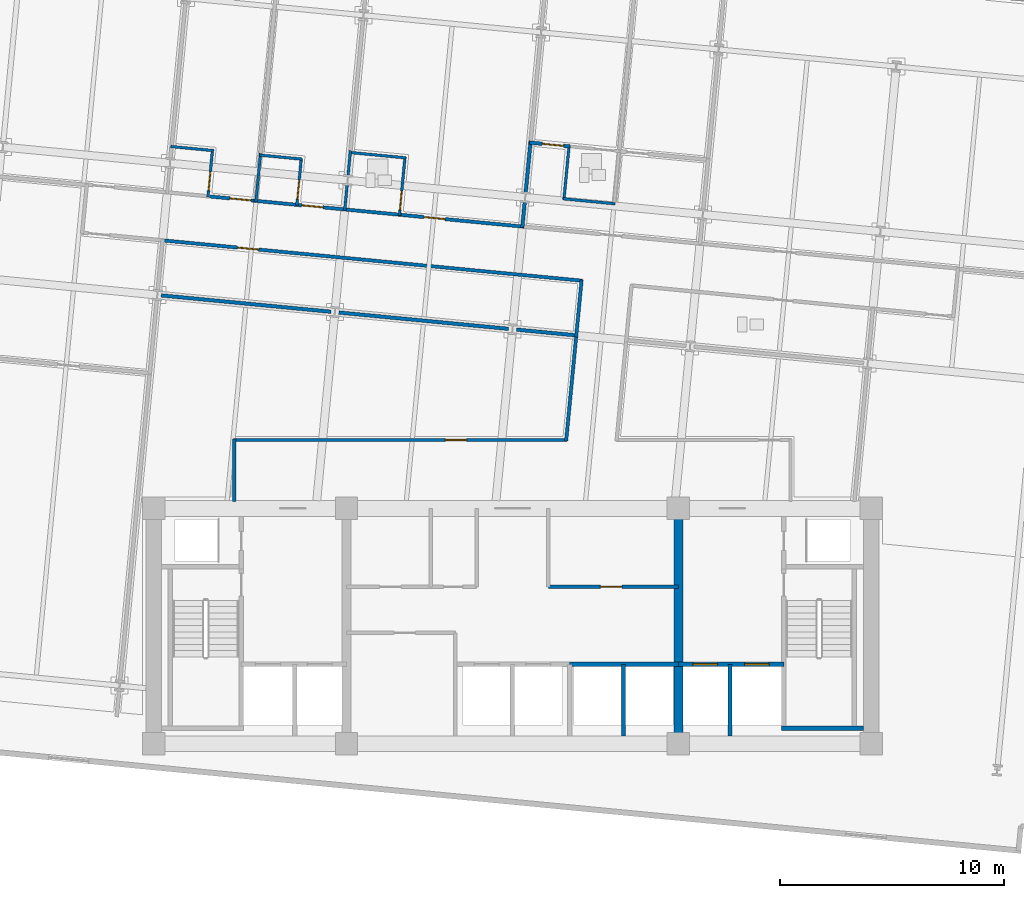
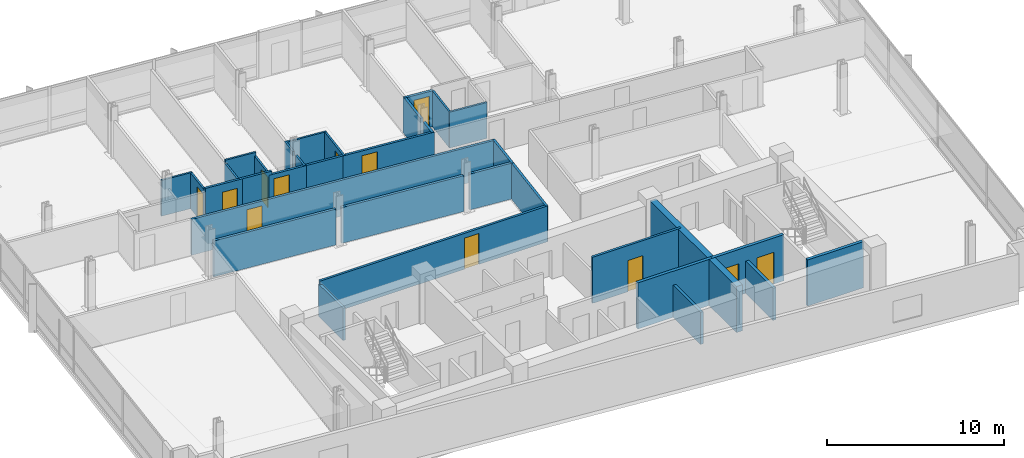
# One storey, part 11 of 17: 34 walls, 12 doors, 12 openings.
"""IFC4 building model written with IfcOpenShell, lengths in metres."""

from ifc_helpers import new_model, si_unit, direction, frame, frame_2d, origin, place, context, subcontext, project, spatial, rectangle, extrude, material, layer, layer_set, type_object, element, fill, save


model = new_model("IFC4")

# Units and contexts
model_context = context("Model", 3, precision=1e-05, world=origin(), true_north=direction((0.0, 1.0)))
body_context = subcontext(model_context, "Body", "Model", "MODEL_VIEW")
ifc_project = project(units=[si_unit("LENGTHUNIT", "METRE"), si_unit("AREAUNIT", "SQUARE_METRE"), si_unit("VOLUMEUNIT", "CUBIC_METRE"), si_unit("PLANEANGLEUNIT", "RADIAN"), si_unit("MASSUNIT", "GRAM", prefix="KILO")], contexts=[model_context])

# Site, building, storey
site_placement = place(None, origin())
site = spatial("IfcSite", under=ifc_project, at=site_placement, CompositionType="ELEMENT")
building_placement = place(site_placement, origin())
building = spatial("IfcBuilding", under=site, at=building_placement, Name="Solmavex Isthmus Hotel", CompositionType="ELEMENT")
storey_placement = place(building_placement, frame((0.0, 0.0, 153.14990234375)))
storey = spatial("IfcBuildingStorey", under=building, at=storey_placement, Name="L41", CompositionType="ELEMENT", Elevation=153.14990234375)

# Walls
ifc_material_1 = material(Name="Gypsum plasterboard lining", Category="gypsum")
ifc_layer_1 = layer(ifc_material_1, 0.159912109375)
ifc_layer_set_1 = layer_set([ifc_layer_1], Name="Gypsum plasterboard lining")
wall_type_1 = type_object("IfcWallType", Name="IW-COMP-160", PredefinedType="PARTITIONING", material=ifc_layer_set_1)
wall_1_placement = place(storey_placement, frame((0.55078125, 11.196044921875, 0.0), z_axis=(0.0, 0.0, 1.0), x_axis=(-0.096017994315, -0.995379598328, 0.0)))
element("IfcWall", 1, at=wall_1_placement, inside=storey, type_object=wall_type_1, Name="Interior Partition Wall W-L41-P040", PredefinedType="PARTITIONING", context=body_context, shape_type="SweptSolid", body=[
    extrude(rectangle(XDim=1.172119140625, YDim=0.159912109375, at=frame_2d((0.5859375, 0.0))), origin(), (0.0, 0.0, 1.0), 2.4794921875),
])
wall_2_placement = place(storey_placement, frame((0.810302734375, 13.8916015625, 0.0), z_axis=(0.0, 0.0, 1.0), x_axis=(-0.095850619404, -0.995395729728, 0.0)))
element("IfcWall", 2, at=wall_2_placement, inside=storey, type_object=wall_type_1, Name="Interior Partition Wall W-L41-P041", PredefinedType="PARTITIONING", context=body_context, shape_type="SweptSolid", body=[
    extrude(rectangle(XDim=2.35595703125, YDim=0.159912109375, at=frame_2d((1.177978515625, 0.0))), origin(), (0.0, 0.0, 1.0), 2.4794921875),
])

# Wall, opening, door
wall_3_placement = place(storey_placement, frame((0.762451171875, 13.813720703125, 0.0), z_axis=(0.0, 0.0, 1.0), x_axis=(0.995394173932, -0.095866774755, 0.0)))
wall_3 = element("IfcWall", 3, at=wall_3_placement, inside=storey, type_object=wall_type_1, Name="Interior Partition Wall W-L41-P044", PredefinedType="PARTITIONING", context=body_context, shape_type="SweptSolid", body=[
    extrude(rectangle(XDim=1.80810546875, YDim=0.159912109375, at=frame_2d((0.904052734375, 0.0))), origin(), (0.0, 0.0, 1.0), 2.4794921875),
])
opening_1_placement = place(wall_3_placement, frame((0.57421875, 0.0, 0.0)))
opening_1 = element("IfcOpeningElement", 4, at=opening_1_placement, cuts=wall_3, Name="Opening ID-C095", PredefinedType="OPENING", context=body_context, shape_type="SweptSolid", body=[
    extrude(rectangle(XDim=0.949951171875, YDim=2.14990234375, at=frame_2d((0.47509765625, 1.074951171875))), frame((0.0, 0.08984375, 0.0), z_axis=(0.0, -1.0, 0.0), x_axis=(1.0, 0.0, 0.0)), (0.0, 0.0, 1.0), 0.179931640625),
])
ifc_material_2 = material(Name="Hardwood timber", Category="wood")
door_type_1 = type_object("IfcDoorType", Name="IDR-FD60-0950", OperationType="NOTDEFINED", PredefinedType="DOOR", material=ifc_material_2)
door_1_placement = place(opening_1_placement, origin())
door_1 = element("IfcDoor", 5, at=door_1_placement, inside=storey, type_object=door_type_1, Name="Ambassador Suite Bedroom Door L41-09", OperationType="SINGLE_SWING_LEFT", OverallHeight=2.14990234375, OverallWidth=0.949951171875, PredefinedType="DOOR", context=body_context, shape_type="SweptSolid", body=[
    extrude(rectangle(XDim=0.949951171875, YDim=2.14990234375, at=frame_2d((0.47509765625, 1.074951171875))), frame((0.0, 0.02490234375, 0.0), z_axis=(0.0, -1.0, 0.0), x_axis=(1.0, 0.0, 0.0)), (0.0, 0.0, 1.0), 0.050048828125),
])
fill(opening_1, door_1)

# Walls
for number, where, z_axis, x_axis, name in (
    (6, (-8.09326171875, 6.269775390625, 0.0), (0.0, 0.0, 1.0), (-0.995396962155, 0.095837819954, 0.0), "Interior Partition Wall W-L41-P060"),
    (7, (-0.173828125, 5.507080078125, 0.0), (0.0, 0.0, 1.0), (-0.995393898805, 0.095869631385, 0.0), "Interior Partition Wall W-L41-P061"),
):
    element("IfcWall", number, at=place(storey_placement, frame(where, z_axis=z_axis, x_axis=x_axis)), inside=storey, type_object=wall_type_1, Name=name, PredefinedType="PARTITIONING", context=body_context, shape_type="SweptSolid", body=[
        extrude(rectangle(XDim=7.60400390625, YDim=0.159912109375, at=frame_2d((3.802001953125, 0.0))), origin(), (0.0, 0.0, 1.0), 2.4794921875),
    ])
wall_4_placement = place(storey_placement, frame((2.885986328125, 5.212646484375, 0.0), z_axis=(0.0, 0.0, 1.0), x_axis=(-0.995401466761, 0.095791022391, 0.0)))
element("IfcWall", 8, at=wall_4_placement, inside=storey, type_object=wall_type_1, Name="Interior Partition Wall W-L41-P062", PredefinedType="PARTITIONING", context=body_context, shape_type="SweptSolid", body=[
    extrude(rectangle(XDim=2.721923828125, YDim=0.159912109375, at=frame_2d((1.36083984375, 0.0))), origin(), (0.0, 0.0, 1.0), 2.4794921875),
])

# Wall, opening, door
ifc_layer_2 = layer(ifc_material_1, 0.14990234375)
ifc_layer_set_2 = layer_set([ifc_layer_2], Name="Gypsum plasterboard lining")
wall_type_2 = type_object("IfcWallType", Name="IW-CORR-150", PredefinedType="PARTITIONING", material=ifc_layer_set_2)
wall_5_placement = place(storey_placement, frame((1.60009765625, -6.0, 0.0), z_axis=(0.0, 0.0, 1.0), x_axis=(1.0, 0.0, 0.0)))
wall_5 = element("IfcWall", 9, at=wall_5_placement, inside=storey, type_object=wall_type_2, Name="Interior Partition Wall W-L41-BOH-ES", PredefinedType="PARTITIONING", context=body_context, shape_type="SweptSolid", body=[
    extrude(rectangle(XDim=5.7998046875, YDim=0.14990234375, at=frame_2d((2.89990234375, 0.0))), origin(), (0.0, 0.0, 1.0), 3.190185546875),
])
opening_2_placement = place(wall_5_placement, frame((2.324951171875, 0.0, 0.0)))
opening_2 = element("IfcOpeningElement", 10, at=opening_2_placement, cuts=wall_5, Name="Opening ID-C095", PredefinedType="OPENING", context=body_context, shape_type="SweptSolid", body=[
    extrude(rectangle(XDim=0.949951171875, YDim=2.14990234375, at=frame_2d((0.47509765625, 1.074951171875))), frame((0.0, 0.0849609375, 0.0), z_axis=(0.0, -1.0, 0.0), x_axis=(1.0, 0.0, 0.0)), (0.0, 0.0, 1.0), 0.169921875),
])
door_2_placement = place(opening_2_placement, frame((0.949951171875, 0.0, 0.0), z_axis=(0.0, 0.0, 1.0), x_axis=(-1.0, 0.0, 0.0)))
door_2 = element("IfcDoor", 11, at=door_2_placement, inside=storey, type_object=door_type_1, Name="Butler Pantry Door L41", OperationType="SINGLE_SWING_RIGHT", OverallHeight=2.14990234375, OverallWidth=0.949951171875, PredefinedType="DOOR", context=body_context, shape_type="SweptSolid", body=[
    extrude(rectangle(XDim=0.949951171875, YDim=2.14990234375, at=frame_2d((0.47509765625, 1.074951171875))), frame((0.0, 0.02490234375, 0.0), z_axis=(0.0, -1.0, 0.0), x_axis=(1.0, 0.0, 0.0)), (0.0, 0.0, 1.0), 0.050048828125),
])
fill(opening_2, door_2)

wall_6_placement = place(storey_placement, frame((-13.65673828125, 11.4267578125, 0.0), z_axis=(0.0, 0.0, 1.0), x_axis=(0.995393345625, -0.095875374756, 0.0)))
wall_6 = element("IfcWall", 12, at=wall_6_placement, inside=storey, type_object=wall_type_2, Name="Interior Partition Wall W-L41-P002", PredefinedType="PARTITIONING", context=body_context, shape_type="SweptSolid", body=[
    extrude(rectangle(XDim=2.312255859375, YDim=0.14990234375, at=frame_2d((1.15625, 0.0))), origin(), (0.0, 0.0, 1.0), 2.71826171875),
])
opening_3_placement = place(wall_6_placement, frame((1.05615234375, 0.0, 0.0)))
opening_3 = element("IfcOpeningElement", 13, at=opening_3_placement, cuts=wall_6, Name="Opening ID-C095", PredefinedType="OPENING", context=body_context, shape_type="SweptSolid", body=[
    extrude(rectangle(XDim=0.949951171875, YDim=2.14990234375, at=frame_2d((0.47509765625, 1.074951171875))), frame((0.0, 0.0849609375, 0.0), z_axis=(0.0, -1.0, 0.0), x_axis=(1.0, 0.0, 0.0)), (0.0, 0.0, 1.0), 0.169921875),
])
door_3_placement = place(opening_3_placement, frame((0.949951171875, 0.0, 0.0), z_axis=(0.0, 0.0, 1.0), x_axis=(-1.0, 0.0, 0.0)))
door_3 = element("IfcDoor", 14, at=door_3_placement, inside=storey, type_object=door_type_1, Name="Premier Guest Room Door L41-02", OperationType="SINGLE_SWING_RIGHT", OverallHeight=2.14990234375, OverallWidth=0.949951171875, PredefinedType="DOOR", context=body_context, shape_type="SweptSolid", body=[
    extrude(rectangle(XDim=0.949951171875, YDim=2.14990234375, at=frame_2d((0.47509765625, 1.074951171875))), frame((0.0, 0.02490234375, 0.0), z_axis=(0.0, -1.0, 0.0), x_axis=(1.0, 0.0, 0.0)), (0.0, 0.0, 1.0), 0.050048828125),
])
fill(opening_3, door_3)

wall_7_placement = place(storey_placement, frame((-9.697021484375, 11.04541015625, 0.0), z_axis=(0.0, 0.0, 1.0), x_axis=(0.995393345625, -0.095875374756, 0.0)))
wall_7 = element("IfcWall", 15, at=wall_7_placement, inside=storey, type_object=wall_type_2, Name="Interior Partition Wall W-L41-P004", PredefinedType="PARTITIONING", context=body_context, shape_type="SweptSolid", body=[
    extrude(rectangle(XDim=2.312255859375, YDim=0.14990234375, at=frame_2d((1.15625, 0.0))), origin(), (0.0, 0.0, 1.0), 2.4794921875),
])
opening_4_placement = place(wall_7_placement, frame((0.30615234375, 0.0, 0.0)))
opening_4 = element("IfcOpeningElement", 16, at=opening_4_placement, cuts=wall_7, Name="Opening ID-C095", PredefinedType="OPENING", context=body_context, shape_type="SweptSolid", body=[
    extrude(rectangle(XDim=0.949951171875, YDim=2.14990234375, at=frame_2d((0.47509765625, 1.074951171875))), frame((0.0, 0.0849609375, 0.0), z_axis=(0.0, -1.0, 0.0), x_axis=(1.0, 0.0, 0.0)), (0.0, 0.0, 1.0), 0.169921875),
])
door_4_placement = place(opening_4_placement, frame((0.949951171875, 0.0, 0.0), z_axis=(0.0, 0.0, 1.0), x_axis=(-1.0, 0.0, 0.0)))
door_4 = element("IfcDoor", 17, at=door_4_placement, inside=storey, type_object=door_type_1, Name="Deluxe Guest Room Door L41-04", OperationType="SINGLE_SWING_RIGHT", OverallHeight=2.14990234375, OverallWidth=0.949951171875, PredefinedType="DOOR", context=body_context, shape_type="SweptSolid", body=[
    extrude(rectangle(XDim=0.949951171875, YDim=2.14990234375, at=frame_2d((0.47509765625, 1.074951171875))), frame((0.0, 0.02490234375, 0.0), z_axis=(0.0, -1.0, 0.0), x_axis=(1.0, 0.0, 0.0)), (0.0, 0.0, 1.0), 0.050048828125),
])
fill(opening_4, door_4)

# Wall
wall_8_placement = place(storey_placement, frame((-11.5185546875, 11.220947265625, 0.0), z_axis=(0.0, 0.0, 1.0), x_axis=(0.995394211968, -0.095866379824, 0.0)))
element("IfcWall", 18, at=wall_8_placement, inside=storey, type_object=wall_type_2, Name="Interior Partition Wall W-L41-P005", PredefinedType="PARTITIONING", context=body_context, shape_type="SweptSolid", body=[
    extrude(rectangle(XDim=1.994140625, YDim=0.14990234375, at=frame_2d((0.9970703125, 0.0))), origin(), (0.0, 0.0, 1.0), 2.71826171875),
])

# Wall, opening, door
wall_9_placement = place(storey_placement, frame((-5.1201171875, 10.604736328125, 0.0), z_axis=(0.0, 0.0, 1.0), x_axis=(0.995395844771, -0.095849424686, 0.0)))
wall_9 = element("IfcWall", 19, at=wall_9_placement, inside=storey, type_object=wall_type_2, Name="Interior Partition Wall W-L41-P006", PredefinedType="PARTITIONING", context=body_context, shape_type="SweptSolid", body=[
    extrude(rectangle(XDim=5.669921875, YDim=0.14990234375, at=frame_2d((2.8349609375, 0.0))), origin(), (0.0, 0.0, 1.0), 2.4794921875),
])
opening_5_placement = place(wall_9_placement, frame((1.18603515625, 0.0, 0.0)))
opening_5 = element("IfcOpeningElement", 20, at=opening_5_placement, cuts=wall_9, Name="Opening ID-C095", PredefinedType="OPENING", context=body_context, shape_type="SweptSolid", body=[
    extrude(rectangle(XDim=0.949951171875, YDim=2.14990234375, at=frame_2d((0.47509765625, 1.074951171875))), frame((0.0, 0.0849609375, 0.0), z_axis=(0.0, -1.0, 0.0), x_axis=(1.0, 0.0, 0.0)), (0.0, 0.0, 1.0), 0.169921875),
])
door_5_placement = place(opening_5_placement, frame((0.949951171875, 0.0, 0.0), z_axis=(0.0, 0.0, 1.0), x_axis=(-1.0, 0.0, 0.0)))
door_5 = element("IfcDoor", 21, at=door_5_placement, inside=storey, type_object=door_type_1, Name="Junior Suite Door L41-06", OperationType="SINGLE_SWING_RIGHT", OverallHeight=2.14990234375, OverallWidth=0.949951171875, PredefinedType="DOOR", context=body_context, shape_type="SweptSolid", body=[
    extrude(rectangle(XDim=0.949951171875, YDim=2.14990234375, at=frame_2d((0.47509765625, 1.074951171875))), frame((0.0, 0.02490234375, 0.0), z_axis=(0.0, -1.0, 0.0), x_axis=(1.0, 0.0, 0.0)), (0.0, 0.0, 1.0), 0.050048828125),
])
fill(opening_5, door_5)

# Walls
wall_10_placement = place(storey_placement, frame((-7.558837890625, 10.839599609375, 0.0), z_axis=(0.0, 0.0, 1.0), x_axis=(0.995398413865, -0.095822740911, 0.0)))
element("IfcWall", 22, at=wall_10_placement, inside=storey, type_object=wall_type_2, Name="Interior Partition Wall W-L41-P007", PredefinedType="PARTITIONING", context=body_context, shape_type="SweptSolid", body=[
    extrude(rectangle(XDim=2.614013671875, YDim=0.14990234375, at=frame_2d((1.30712890625, 0.0))), origin(), (0.0, 0.0, 1.0), 2.4794921875),
])
wall_11_placement = place(storey_placement, frame((2.83837890625, 5.134765625, 0.0), z_axis=(0.0, 0.0, 1.0), x_axis=(0.095772090971, 0.995403288417, 0.0)))
element("IfcWall", 23, at=wall_11_placement, inside=storey, type_object=wall_type_2, Name="Interior Partition Wall W-L41-P012", PredefinedType="PARTITIONING", context=body_context, shape_type="SweptSolid", body=[
    extrude(rectangle(XDim=2.572021484375, YDim=0.14990234375, at=frame_2d((1.2861328125, 0.0))), origin(), (0.0, 0.0, 1.0), 2.4794921875),
])

# Wall, opening, door
wall_12_placement = place(storey_placement, frame((3.120849609375, 7.6513671875, 0.0), z_axis=(0.0, 0.0, 1.0), x_axis=(-0.995397135603, 0.095836018457, 0.0)))
wall_12 = element("IfcWall", 24, at=wall_12_placement, inside=storey, type_object=wall_type_2, Name="Interior Partition Wall W-L41-P013", PredefinedType="PARTITIONING", context=body_context, shape_type="SweptSolid", body=[
    extrude(rectangle(XDim=18.89208984375, YDim=0.14990234375, at=frame_2d((9.446044921875, 0.0))), origin(), (0.0, 0.0, 1.0), 2.4794921875),
])
opening_6_placement = place(wall_12_placement, frame((14.501708984375, 0.0, 0.0)))
opening_6 = element("IfcOpeningElement", 25, at=opening_6_placement, cuts=wall_12, Name="Opening ID-C095", PredefinedType="OPENING", context=body_context, shape_type="SweptSolid", body=[
    extrude(rectangle(XDim=0.949951171875, YDim=2.14990234375, at=frame_2d((0.47509765625, 1.074951171875))), frame((0.0, 0.0849609375, 0.0), z_axis=(0.0, -1.0, 0.0), x_axis=(1.0, 0.0, 0.0)), (0.0, 0.0, 1.0), 0.169921875),
])
door_6_placement = place(opening_6_placement, frame((0.949951171875, 0.0, 0.0), z_axis=(0.0, 0.0, 1.0), x_axis=(-1.0, 0.0, 0.0)))
door_6 = element("IfcDoor", 26, at=door_6_placement, inside=storey, type_object=door_type_1, Name="Catering Servery Kitchen Door L41-14", OperationType="SINGLE_SWING_RIGHT", OverallHeight=2.14990234375, OverallWidth=0.949951171875, PredefinedType="DOOR", context=body_context, shape_type="SweptSolid", body=[
    extrude(rectangle(XDim=0.949951171875, YDim=2.14990234375, at=frame_2d((0.47509765625, 1.074951171875))), frame((0.0, 0.02490234375, 0.0), z_axis=(0.0, -1.0, 0.0), x_axis=(1.0, 0.0, 0.0)), (0.0, 0.0, 1.0), 0.050048828125),
])
fill(opening_6, door_6)

# Wall
wall_13_placement = place(storey_placement, frame((-12.39990234375, -2.18994140625, 0.0), z_axis=(0.0, 0.0, 1.0), x_axis=(0.0, 1.0, 0.0)))
element("IfcWall", 27, at=wall_13_placement, inside=storey, type_object=wall_type_2, Name="Interior Partition Wall W-L41-P019", PredefinedType="PARTITIONING", context=body_context, shape_type="SweptSolid", body=[
    extrude(rectangle(XDim=2.780029296875, YDim=0.14990234375, at=frame_2d((1.39013671875, 0.0))), origin(), (0.0, 0.0, 1.0), 2.22509765625),
])

# Wall, opening, door
wall_14_placement = place(storey_placement, frame((-12.43994140625, 0.550048828125, 0.0), z_axis=(0.0, 0.0, 1.0), x_axis=(1.0, 0.0, 0.0)))
wall_14 = element("IfcWall", 28, at=wall_14_placement, inside=storey, type_object=wall_type_2, Name="Interior Partition Wall W-L41-P020", PredefinedType="PARTITIONING", context=body_context, shape_type="SweptSolid", body=[
    extrude(rectangle(XDim=14.876708984375, YDim=0.14990234375, at=frame_2d((7.4384765625, 0.0))), origin(), (0.0, 0.0, 1.0), 2.4794921875),
])
opening_7_placement = place(wall_14_placement, frame((9.44921875, 0.0, 0.0)))
opening_7 = element("IfcOpeningElement", 29, at=opening_7_placement, cuts=wall_14, Name="Opening ID-C095", PredefinedType="OPENING", context=body_context, shape_type="SweptSolid", body=[
    extrude(rectangle(XDim=0.949951171875, YDim=2.14990234375, at=frame_2d((0.47509765625, 1.074951171875))), frame((0.0, 0.0849609375, 0.0), z_axis=(0.0, -1.0, 0.0), x_axis=(1.0, 0.0, 0.0)), (0.0, 0.0, 1.0), 0.169921875),
])
door_7_placement = place(opening_7_placement, frame((0.949951171875, 0.0, 0.0), z_axis=(0.0, 0.0, 1.0), x_axis=(-1.0, 0.0, 0.0)))
door_7 = element("IfcDoor", 30, at=door_7_placement, inside=storey, type_object=door_type_1, Name="Seminar Meeting Room Door L41-17", OperationType="SINGLE_SWING_LEFT", OverallHeight=2.14990234375, OverallWidth=0.949951171875, PredefinedType="DOOR", context=body_context, shape_type="SweptSolid", body=[
    extrude(rectangle(XDim=0.949951171875, YDim=2.14990234375, at=frame_2d((0.47509765625, 1.074951171875))), frame((0.0, 0.02490234375, 0.0), z_axis=(0.0, -1.0, 0.0), x_axis=(1.0, 0.0, 0.0)), (0.0, 0.0, 1.0), 0.050048828125),
])
fill(opening_7, door_7)

# Wall
wall_15_placement = place(storey_placement, frame((2.39306640625, 0.51025390625, 0.0), z_axis=(0.0, 0.0, 1.0), x_axis=(0.095829431913, 0.995397769728, 0.0)))
element("IfcWall", 31, at=wall_15_placement, inside=storey, type_object=wall_type_2, Name="Interior Partition Wall W-L41-P021", PredefinedType="PARTITIONING", context=body_context, shape_type="SweptSolid", body=[
    extrude(rectangle(XDim=4.81005859375, YDim=0.14990234375, at=frame_2d((2.405029296875, 0.0))), origin(), (0.0, 0.0, 1.0), 2.4794921875),
])

# Wall, opening, door
ifc_layer_3 = layer(ifc_material_1, 0.1201171875)
ifc_layer_set_3 = layer_set([ifc_layer_3], Name="Gypsum plasterboard lining")
wall_type_3 = type_object("IfcWallType", Name="IW-PART-120", PredefinedType="PARTITIONING", material=ifc_layer_set_3)
wall_16_placement = place(storey_placement, frame((-13.578857421875, 11.379150390625, 0.0), z_axis=(0.0, 0.0, 1.0), x_axis=(0.095825980341, 0.995398102013, 0.0)))
wall_16 = element("IfcWall", 32, at=wall_16_placement, inside=storey, type_object=wall_type_3, Name="Interior Partition Wall W-L41-P028", PredefinedType="PARTITIONING", context=body_context, shape_type="SweptSolid", body=[
    extrude(rectangle(XDim=2.1298828125, YDim=0.1201171875, at=frame_2d((1.06494140625, 0.0))), origin(), (0.0, 0.0, 1.0), 2.4794921875),
])
opening_8_placement = place(wall_16_placement, frame((0.295654296875, 0.0, 0.0)))
opening_8 = element("IfcOpeningElement", 33, at=opening_8_placement, cuts=wall_16, Name="Opening ID-U085", PredefinedType="OPENING", context=body_context, shape_type="SweptSolid", body=[
    extrude(rectangle(XDim=0.85009765625, YDim=2.10009765625, at=frame_2d((0.425048828125, 1.050048828125))), frame((0.0, 0.070068359375, 0.0), z_axis=(0.0, -1.0, 0.0), x_axis=(1.0, 0.0, 0.0)), (0.0, 0.0, 1.0), 0.14013671875),
])
door_type_2 = type_object("IfcDoorType", Name="IDR-UNR-0850", OperationType="NOTDEFINED", PredefinedType="DOOR", material=ifc_material_2)
door_8_placement = place(opening_8_placement, frame((0.85009765625, 0.0, 0.0), z_axis=(0.0, 0.0, 1.0), x_axis=(-1.0, 0.0, 0.0)))
door_8 = element("IfcDoor", 34, at=door_8_placement, inside=storey, type_object=door_type_2, Name="En-suite Bathroom Door L41-03", OperationType="SINGLE_SWING_LEFT", OverallHeight=2.10009765625, OverallWidth=0.85009765625, PredefinedType="DOOR", context=body_context, shape_type="SweptSolid", body=[
    extrude(rectangle(XDim=0.85009765625, YDim=2.10009765625, at=frame_2d((0.425048828125, 1.050048828125))), frame((0.0, 0.02490234375, 0.0), z_axis=(0.0, -1.0, 0.0), x_axis=(1.0, 0.0, 0.0)), (0.0, 0.0, 1.0), 0.050048828125),
])
fill(opening_8, door_8)

# Walls
wall_17_placement = place(storey_placement, frame((-13.3388671875, 13.45556640625, 0.0), z_axis=(0.0, 0.0, 1.0), x_axis=(-0.995393793358, 0.095870726213, 0.0)))
element("IfcWall", 35, at=wall_17_placement, inside=storey, type_object=wall_type_3, Name="Interior Partition Wall W-L41-P029", PredefinedType="PARTITIONING", context=body_context, shape_type="SweptSolid", body=[
    extrude(rectangle(XDim=1.909912109375, YDim=0.1201171875, at=frame_2d((0.955078125, 0.0))), origin(), (0.0, 0.0, 1.0), 2.4794921875),
])
wall_18_placement = place(storey_placement, frame((-11.232666015625, 13.335205078125, 0.0), z_axis=(0.0, 0.0, 1.0), x_axis=(-0.09576380767, -0.995404085355, 0.0)))
element("IfcWall", 36, at=wall_18_placement, inside=storey, type_object=wall_type_3, Name="Interior Partition Wall W-L41-P031", PredefinedType="PARTITIONING", context=body_context, shape_type="SweptSolid", body=[
    extrude(rectangle(XDim=2.172119140625, YDim=0.1201171875, at=frame_2d((1.0859375, 0.0))), origin(), (0.0, 0.0, 1.0), 2.4794921875),
])

# Wall, opening, door
wall_19_placement = place(storey_placement, frame((-9.619384765625, 10.997802734375, 0.0), z_axis=(0.0, 0.0, 1.0), x_axis=(0.095939550296, 0.995387162208, 0.0)))
wall_19 = element("IfcWall", 37, at=wall_19_placement, inside=storey, type_object=wall_type_3, Name="Interior Partition Wall W-L41-P032", PredefinedType="PARTITIONING", context=body_context, shape_type="SweptSolid", body=[
    extrude(rectangle(XDim=2.1298828125, YDim=0.1201171875, at=frame_2d((1.06494140625, 0.0))), origin(), (0.0, 0.0, 1.0), 2.4794921875),
])
opening_9_placement = place(wall_19_placement, frame((0.295654296875, 0.0, 0.0)))
opening_9 = element("IfcOpeningElement", 38, at=opening_9_placement, cuts=wall_19, Name="Opening ID-U085", PredefinedType="OPENING", context=body_context, shape_type="SweptSolid", body=[
    extrude(rectangle(XDim=0.85009765625, YDim=2.10009765625, at=frame_2d((0.425048828125, 1.050048828125))), frame((0.0, 0.070068359375, 0.0), z_axis=(0.0, -1.0, 0.0), x_axis=(1.0, 0.0, 0.0)), (0.0, 0.0, 1.0), 0.14013671875),
])
door_9_placement = place(opening_9_placement, origin())
door_9 = element("IfcDoor", 39, at=door_9_placement, inside=storey, type_object=door_type_2, Name="En-suite Bathroom Door L41-05", OperationType="SINGLE_SWING_LEFT", OverallHeight=2.10009765625, OverallWidth=0.85009765625, PredefinedType="DOOR", context=body_context, shape_type="SweptSolid", body=[
    extrude(rectangle(XDim=0.85009765625, YDim=2.10009765625, at=frame_2d((0.425048828125, 1.050048828125))), frame((0.0, 0.02490234375, 0.0), z_axis=(0.0, -1.0, 0.0), x_axis=(1.0, 0.0, 0.0)), (0.0, 0.0, 1.0), 0.050048828125),
])
fill(opening_9, door_9)

# Walls
wall_20_placement = place(storey_placement, frame((-9.379150390625, 13.07421875, 0.0), z_axis=(0.0, 0.0, 1.0), x_axis=(-0.995393793358, 0.095870726213, 0.0)))
element("IfcWall", 40, at=wall_20_placement, inside=storey, type_object=wall_type_3, Name="Interior Partition Wall W-L41-P033", PredefinedType="PARTITIONING", context=body_context, shape_type="SweptSolid", body=[
    extrude(rectangle(XDim=1.909912109375, YDim=0.1201171875, at=frame_2d((0.955078125, 0.0))), origin(), (0.0, 0.0, 1.0), 2.71826171875),
])
wall_21_placement = place(storey_placement, frame((-7.36865234375, 11.95849609375, 0.0), z_axis=(0.0, 0.0, 1.0), x_axis=(-0.095831494917, -0.995397571115, 0.0)))
element("IfcWall", 41, at=wall_21_placement, inside=storey, type_object=wall_type_3, Name="Interior Partition Wall W-L41-P036", PredefinedType="PARTITIONING", context=body_context, shape_type="SweptSolid", body=[
    extrude(rectangle(XDim=1.171875, YDim=0.1201171875, at=frame_2d((0.5859375, 0.0))), origin(), (0.0, 0.0, 1.0), 2.4794921875),
])
wall_22_placement = place(storey_placement, frame((-7.224853515625, 13.45166015625, 0.0), z_axis=(0.0, 0.0, 1.0), x_axis=(-0.09590284245, -0.99539069958, 0.0)))
element("IfcWall", 42, at=wall_22_placement, inside=storey, type_object=wall_type_3, Name="Interior Partition Wall W-L41-P037", PredefinedType="PARTITIONING", context=body_context, shape_type="SweptSolid", body=[
    extrude(rectangle(XDim=1.148193359375, YDim=0.1201171875, at=frame_2d((0.57421875, 0.0))), origin(), (0.0, 0.0, 1.0), 2.4794921875),
])

# Wall, opening, door
wall_23_placement = place(storey_placement, frame((-5.042236328125, 10.55712890625, 0.0), z_axis=(0.0, 0.0, 1.0), x_axis=(0.095799078022, 0.995400691506, 0.0)))
wall_23 = element("IfcWall", 43, at=wall_23_placement, inside=storey, type_object=wall_type_3, Name="Interior Partition Wall W-L41-P038", PredefinedType="PARTITIONING", context=body_context, shape_type="SweptSolid", body=[
    extrude(rectangle(XDim=2.630126953125, YDim=0.1201171875, at=frame_2d((1.31494140625, 0.0))), origin(), (0.0, 0.0, 1.0), 2.4794921875),
])
opening_10_placement = place(wall_23_placement, frame((0.247314453125, 0.0, 0.0)))
opening_10 = element("IfcOpeningElement", 44, at=opening_10_placement, cuts=wall_23, Name="Opening ID-U085", PredefinedType="OPENING", context=body_context, shape_type="SweptSolid", body=[
    extrude(rectangle(XDim=0.85009765625, YDim=2.10009765625, at=frame_2d((0.425048828125, 1.050048828125))), frame((0.0, 0.070068359375, 0.0), z_axis=(0.0, -1.0, 0.0), x_axis=(1.0, 0.0, 0.0)), (0.0, 0.0, 1.0), 0.14013671875),
])
door_10_placement = place(opening_10_placement, frame((0.85009765625, 0.0, 0.0), z_axis=(0.0, 0.0, 1.0), x_axis=(-1.0, 0.0, 0.0)))
door_10 = element("IfcDoor", 45, at=door_10_placement, inside=storey, type_object=door_type_2, Name="En-suite Bathroom Door L41-07", OperationType="SINGLE_SWING_LEFT", OverallHeight=2.10009765625, OverallWidth=0.85009765625, PredefinedType="DOOR", context=body_context, shape_type="SweptSolid", body=[
    extrude(rectangle(XDim=0.85009765625, YDim=2.10009765625, at=frame_2d((0.425048828125, 1.050048828125))), frame((0.0, 0.02490234375, 0.0), z_axis=(0.0, -1.0, 0.0), x_axis=(1.0, 0.0, 0.0)), (0.0, 0.0, 1.0), 0.050048828125),
])
fill(opening_10, door_10)

# Walls
wall_24_placement = place(storey_placement, frame((-4.754150390625, 13.13134765625, 0.0), z_axis=(0.0, 0.0, 1.0), x_axis=(-0.995399123656, 0.09581536737, 0.0)))
element("IfcWall", 46, at=wall_24_placement, inside=storey, type_object=wall_type_3, Name="Interior Partition Wall W-L41-P039", PredefinedType="PARTITIONING", context=body_context, shape_type="SweptSolid", body=[
    extrude(rectangle(XDim=2.5302734375, YDim=0.1201171875, at=frame_2d((1.26513671875, 0.0))), origin(), (0.0, 0.0, 1.0), 2.4794921875),
])
wall_25_placement = place(storey_placement, frame((2.526123046875, 13.68408203125, 0.0), z_axis=(0.0, 0.0, 1.0), x_axis=(-0.095842578202, -0.995396504014, 0.0)))
element("IfcWall", 47, at=wall_25_placement, inside=storey, type_object=wall_type_3, Name="Interior Partition Wall W-L41-P046", PredefinedType="PARTITIONING", context=body_context, shape_type="SweptSolid", body=[
    extrude(rectangle(XDim=2.43017578125, YDim=0.1201171875, at=frame_2d((1.215087890625, 0.0))), origin(), (0.0, 0.0, 1.0), 2.4794921875),
])
wall_26_placement = place(storey_placement, frame((2.25732421875, 11.308837890625, 0.0), z_axis=(0.0, 0.0, 1.0), x_axis=(0.995393658532, -0.095872126059, 0.0)))
element("IfcWall", 48, at=wall_26_placement, inside=storey, type_object=wall_type_3, Name="Interior Partition Wall W-L41-P047", PredefinedType="PARTITIONING", context=body_context, shape_type="SweptSolid", body=[
    extrude(rectangle(XDim=2.330078125, YDim=0.1201171875, at=frame_2d((1.1650390625, 0.0))), origin(), (0.0, 0.0, 1.0), 2.4794921875),
])
ifc_material_3 = material(Name="Concrete C40/50", Category="concrete")
ifc_layer_4 = layer(ifc_material_3, 0.179931640625)
ifc_layer_set_4 = layer_set([ifc_layer_4], Name="Concrete C40/50")
wall_type_4 = type_object("IfcWallType", Name="IW-SHAFT-180", PredefinedType="PARTITIONING", material=ifc_layer_set_4)
wall_27_placement = place(storey_placement, frame((4.949951171875, -12.64990234375, 0.0), z_axis=(0.0, 0.0, 1.0), x_axis=(0.0, 1.0, 0.0)))
element("IfcWall", 49, at=wall_27_placement, inside=storey, type_object=wall_type_4, Name="Interior Partition Wall W-L41-SH-PLH-M", PredefinedType="PARTITIONING", context=body_context, shape_type="SweptSolid", body=[
    extrude(rectangle(XDim=3.199951171875, YDim=0.179931640625, at=frame_2d((1.60009765625, 0.0))), origin(), (0.0, 0.0, 1.0), 2.22509765625),
])

# Wall, openings, doors
ifc_layer_5 = layer(ifc_material_3, 0.199951171875)
ifc_layer_set_5 = layer_set([ifc_layer_5], Name="Concrete C40/50")
wall_type_5 = type_object("IfcWallType", Name="IW-SHAFT-200", PredefinedType="PARTITIONING", material=ifc_layer_set_5)
wall_28_placement = place(storey_placement, frame((7.39990234375, -9.449951171875, 0.0), z_axis=(0.0, 0.0, 1.0), x_axis=(1.0, 0.0, 0.0)))
wall_28 = element("IfcWall", 50, at=wall_28_placement, inside=storey, type_object=wall_type_5, Name="Interior Partition Wall W-L41-FFLE-S", PredefinedType="PARTITIONING", context=body_context, shape_type="SweptSolid", body=[
    extrude(rectangle(XDim=4.7001953125, YDim=0.199951171875, at=frame_2d((2.35009765625, 0.0))), origin(), (0.0, 0.0, 1.0), 3.190185546875),
])
opening_11_placement = place(wall_28_placement, frame((2.949951171875, 0.0, 0.0)))
opening_11 = element("IfcOpeningElement", 51, at=opening_11_placement, cuts=wall_28, Name="Opening LD-FF", PredefinedType="OPENING", context=body_context, shape_type="SweptSolid", body=[
    extrude(rectangle(XDim=1.10009765625, YDim=2.199951171875, at=frame_2d((0.550048828125, 1.10009765625))), frame((0.0, 0.10986328125, 0.0), z_axis=(0.0, -1.0, 0.0), x_axis=(1.0, 0.0, 0.0)), (0.0, 0.0, 1.0), 0.219970703125),
])
opening_12_placement = place(wall_28_placement, frame((0.64990234375, 0.0, 0.0)))
opening_12 = element("IfcOpeningElement", 52, at=opening_12_placement, cuts=wall_28, Name="Opening LD-SV", PredefinedType="OPENING", context=body_context, shape_type="SweptSolid", body=[
    extrude(rectangle(XDim=1.10009765625, YDim=2.199951171875, at=frame_2d((0.550048828125, 1.10009765625))), frame((0.0, 0.10986328125, 0.0), z_axis=(0.0, -1.0, 0.0), x_axis=(1.0, 0.0, 0.0)), (0.0, 0.0, 1.0), 0.219970703125),
])
ifc_material_4 = material(Name="Stainless steel 316", Category="steel")
door_type_3 = type_object("IfcDoorType", Name="LDR-FF-1100", OperationType="NOTDEFINED", PredefinedType="DOOR", material=ifc_material_4)
door_11_placement = place(opening_11_placement, origin())
door_11 = element("IfcDoor", 53, at=door_11_placement, inside=storey, type_object=door_type_3, Name="Lift Landing Door FFL-2 L41", OperationType="SLIDING_TO_LEFT", OverallHeight=2.199951171875, OverallWidth=1.10009765625, PredefinedType="DOOR", context=body_context, shape_type="SweptSolid", body=[
    extrude(rectangle(XDim=1.10009765625, YDim=2.199951171875, at=frame_2d((0.550048828125, 1.10009765625))), frame((0.0, 0.02490234375, 0.0), z_axis=(0.0, -1.0, 0.0), x_axis=(1.0, 0.0, 0.0)), (0.0, 0.0, 1.0), 0.050048828125),
])
fill(opening_11, door_11)
door_type_4 = type_object("IfcDoorType", Name="LDR-SV-1100", OperationType="NOTDEFINED", PredefinedType="DOOR", material=ifc_material_4)
door_12_placement = place(opening_12_placement, origin())
door_12 = element("IfcDoor", 54, at=door_12_placement, inside=storey, type_object=door_type_4, Name="Lift Landing Door SVL-2 L41", OperationType="SLIDING_TO_RIGHT", OverallHeight=2.199951171875, OverallWidth=1.10009765625, PredefinedType="DOOR", context=body_context, shape_type="SweptSolid", body=[
    extrude(rectangle(XDim=1.10009765625, YDim=2.199951171875, at=frame_2d((0.550048828125, 1.10009765625))), frame((0.0, 0.02490234375, 0.0), z_axis=(0.0, -1.0, 0.0), x_axis=(1.0, 0.0, 0.0)), (0.0, 0.0, 1.0), 0.050048828125),
])
fill(opening_12, door_12)

# Walls
wall_29_placement = place(storey_placement, frame((9.699951171875, -12.64990234375, 0.0), z_axis=(0.0, 0.0, 1.0), x_axis=(0.0, 1.0, 0.0)))
element("IfcWall", 55, at=wall_29_placement, inside=storey, type_object=wall_type_5, Name="Interior Partition Wall W-L41-FFLE-M", PredefinedType="PARTITIONING", context=body_context, shape_type="SweptSolid", body=[
    extrude(rectangle(XDim=3.199951171875, YDim=0.199951171875, at=frame_2d((1.60009765625, 0.0))), origin(), (0.0, 0.0, 1.0), 2.22509765625),
])
wall_30_placement = place(storey_placement, frame((2.550048828125, -9.449951171875, 0.0), z_axis=(0.0, 0.0, 1.0), x_axis=(1.0, 0.0, 0.0)))
element("IfcWall", 56, at=wall_30_placement, inside=storey, type_object=wall_type_5, Name="Interior Partition Wall W-L41-SH-PLH", PredefinedType="PARTITIONING", context=body_context, shape_type="SweptSolid", body=[
    extrude(rectangle(XDim=4.849853515625, YDim=0.199951171875, at=frame_2d((2.4248046875, 0.0))), origin(), (0.0, 0.0, 1.0), 3.190185546875),
])
ifc_material_5 = material(Name="Concrete C60/75", Category="concrete")
ifc_layer_6 = layer(ifc_material_5, 0.39990234375)
ifc_layer_set_6 = layer_set([ifc_layer_6], Name="Concrete C60/75")
wall_type_6 = type_object("IfcWallType", Name="WALL-CW-400M", PredefinedType="SHEAR", material=ifc_layer_set_6)
wall_31_placement = place(storey_placement, frame((7.39990234375, -12.64990234375, 0.0), z_axis=(0.0, 0.0, 1.0), x_axis=(0.0, 1.0, 0.0)))
element("IfcWall", 57, at=wall_31_placement, inside=storey, type_object=wall_type_6, Name="Core Cross Shear Wall C2 L41", PredefinedType="SHEAR", context=body_context, shape_type="SweptSolid", body=[
    extrude(rectangle(XDim=9.7998046875, YDim=0.39990234375, at=frame_2d((4.89990234375, 0.0))), origin(), (0.0, 0.0, 1.0), 3.190185546875),
])
ifc_layer_7 = layer(ifc_material_3, 0.199951171875)
ifc_layer_set_7 = layer_set([ifc_layer_7], Name="Concrete C40/50")
wall_type_7 = type_object("IfcWallType", Name="WALL-SW-200", PredefinedType="SOLIDWALL", material=ifc_layer_set_7)
wall_32_placement = place(storey_placement, frame((12.0, -12.300048828125, 0.0), z_axis=(0.0, 0.0, 1.0), x_axis=(1.0, 0.0, 0.0)))
element("IfcWall", 58, at=wall_32_placement, inside=storey, type_object=wall_type_7, Name="Stairwell Structural Wall SW-L41-ST2-S", PredefinedType="SOLIDWALL", context=body_context, shape_type="SweptSolid", body=[
    extrude(rectangle(XDim=3.64990234375, YDim=0.199951171875, at=frame_2d((1.824951171875, 0.0))), origin(), (0.0, 0.0, 1.0), 3.190185546875),
])

save(model, "model.ifc")
